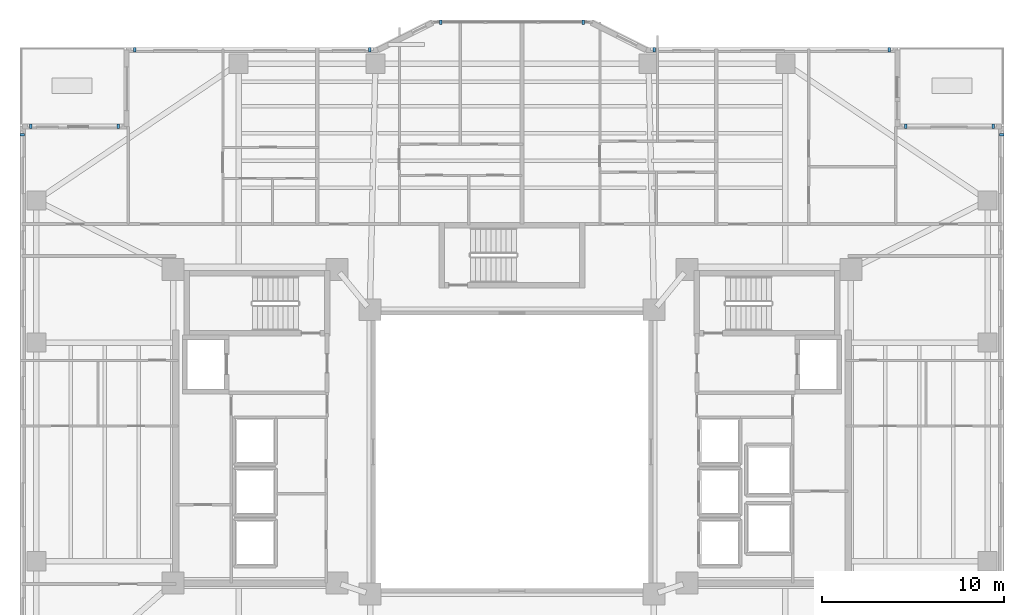
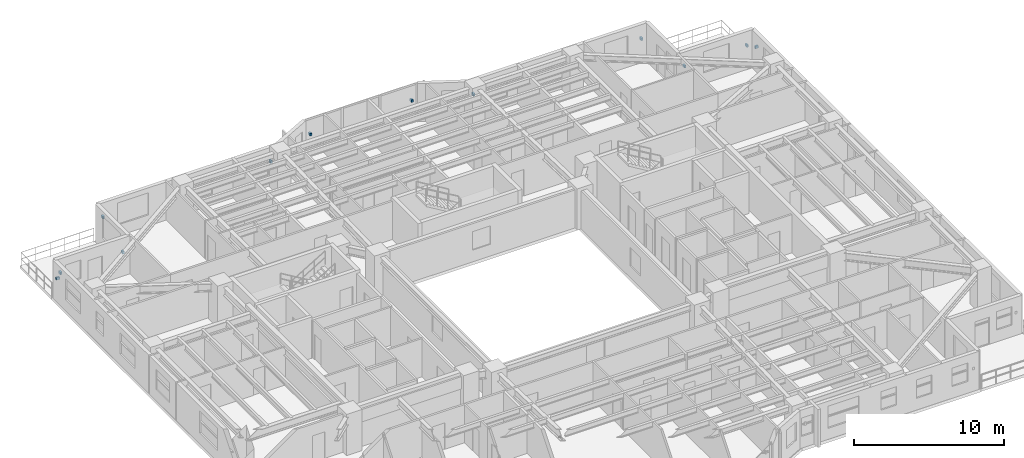
# One storey, part 14 of 19: 12 discrete accessories.
"""IFC4 building model written with IfcOpenShell, lengths in metres."""

from ifc_helpers import new_model, si_unit, direction, frame, origin, origin_2d, place, context, subcontext, project, spatial, rectangle, extrude, material, type_object, element, save


model = new_model("IFC4")

# Units and contexts
model_context = context("Model", 3, precision=1e-05, world=origin(), true_north=direction((0.0, 1.0)))
body_context = subcontext(model_context, "Body", "Model", "MODEL_VIEW")
ifc_project = project(units=[si_unit("LENGTHUNIT", "METRE"), si_unit("AREAUNIT", "SQUARE_METRE"), si_unit("VOLUMEUNIT", "CUBIC_METRE"), si_unit("PLANEANGLEUNIT", "RADIAN"), si_unit("MASSUNIT", "GRAM", prefix="KILO")], contexts=[model_context])

# Site, building, storey
site_placement = place(None, origin())
site = spatial("IfcSite", under=ifc_project, at=site_placement, CompositionType="ELEMENT")
building_placement = place(site_placement, origin())
building = spatial("IfcBuilding", under=site, at=building_placement, Name="Tarnavaz Court Tower", CompositionType="ELEMENT")
storey_placement = place(building_placement, frame((0.0, 0.0, 78.300048828125)))
storey = spatial("IfcBuildingStorey", under=building, at=storey_placement, Name="L20", CompositionType="ELEMENT", Elevation=78.300048828125)

# Discrete accessories
ifc_material = material(Name="Anodised Aluminium 6063-T6", Category="aluminium")
discrete_accessory_type = type_object("IfcDiscreteAccessoryType", Name="DA-BRKT-ALU", PredefinedType="BRACKET", material=ifc_material)
for number, where, z_axis, x_axis, name in (
    (1, (-26.8701171875, 17.39990234375, 1.75), (0.0, 0.0, 1.0), (0.0, 1.0, 0.0), "L20 Baguette Outrigger Bracket FBG02-2"),
    (2, (-26.39990234375, 17.8701171875, 1.75), (0.0, 0.0, 1.0), (1.0, 0.0, 0.0), "L20 Baguette Outrigger Bracket FBG03-1"),
    (3, (-21.60009765625, 17.8701171875, 1.75), (0.0, 0.0, 1.0), (1.0, 0.0, 0.0), "L20 Baguette Outrigger Bracket FBG03-2"),
    (4, (-20.699951171875, 22.070068359375, 1.75), (0.0, 0.0, 1.0), (1.0, 0.0, 0.0), "L20 Baguette Outrigger Bracket FBG05-1"),
    (5, (-7.800048828125, 22.070068359375, 1.75), (0.0, 0.0, 1.0), (1.0, 0.0, 0.0), "L20 Baguette Outrigger Bracket FBG05-2"),
    (6, (-3.89990234375, 23.570068359375, 1.7001953125), (0.0, 0.0, 1.0), (1.0, 0.0, 0.0), "L20 Baguette Outrigger Bracket PBG7-1"),
    (7, (3.89990234375, 23.570068359375, 1.7001953125), (0.0, 0.0, 1.0), (1.0, 0.0, 0.0), "L20 Baguette Outrigger Bracket PBG7-2"),
    (8, (7.800048828125, 22.070068359375, 1.75), (0.0, 0.0, 1.0), (1.0, 0.0, 0.0), "L20 Baguette Outrigger Bracket FBG09-1"),
    (9, (20.699951171875, 22.070068359375, 1.75), (0.0, 0.0, 1.0), (1.0, 0.0, 0.0), "L20 Baguette Outrigger Bracket FBG09-2"),
    (10, (21.60009765625, 17.8701171875, 1.75), (0.0, 0.0, 1.0), (1.0, 0.0, 0.0), "L20 Baguette Outrigger Bracket FBG11-1"),
    (11, (26.39990234375, 17.8701171875, 1.75), (0.0, 0.0, 1.0), (1.0, 0.0, 0.0), "L20 Baguette Outrigger Bracket FBG11-2"),
    (12, (26.8701171875, 17.39990234375, 1.75), (0.0, 0.0, 1.0), (0.0, -1.0, 0.0), "L20 Baguette Outrigger Bracket FBG12-1"),
):
    element("IfcDiscreteAccessory", number, at=place(storey_placement, frame(where, z_axis=z_axis, x_axis=x_axis)), inside=storey, type_object=discrete_accessory_type, Name=name, PredefinedType="BRACKET", context=body_context, shape_type="SweptSolid", body=[
        extrude(rectangle(XDim=0.139892578125, YDim=0.239990234375, at=origin_2d()), origin(), (0.0, 0.0, 1.0), 0.199951171875),
    ])

save(model, "model.ifc")
